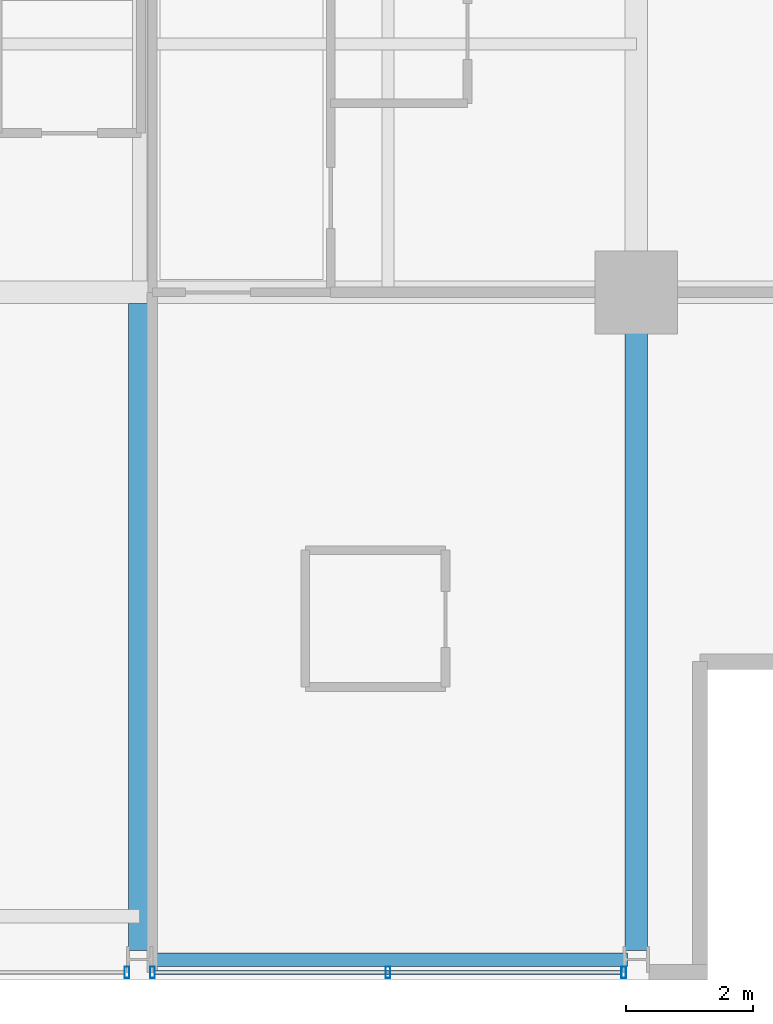
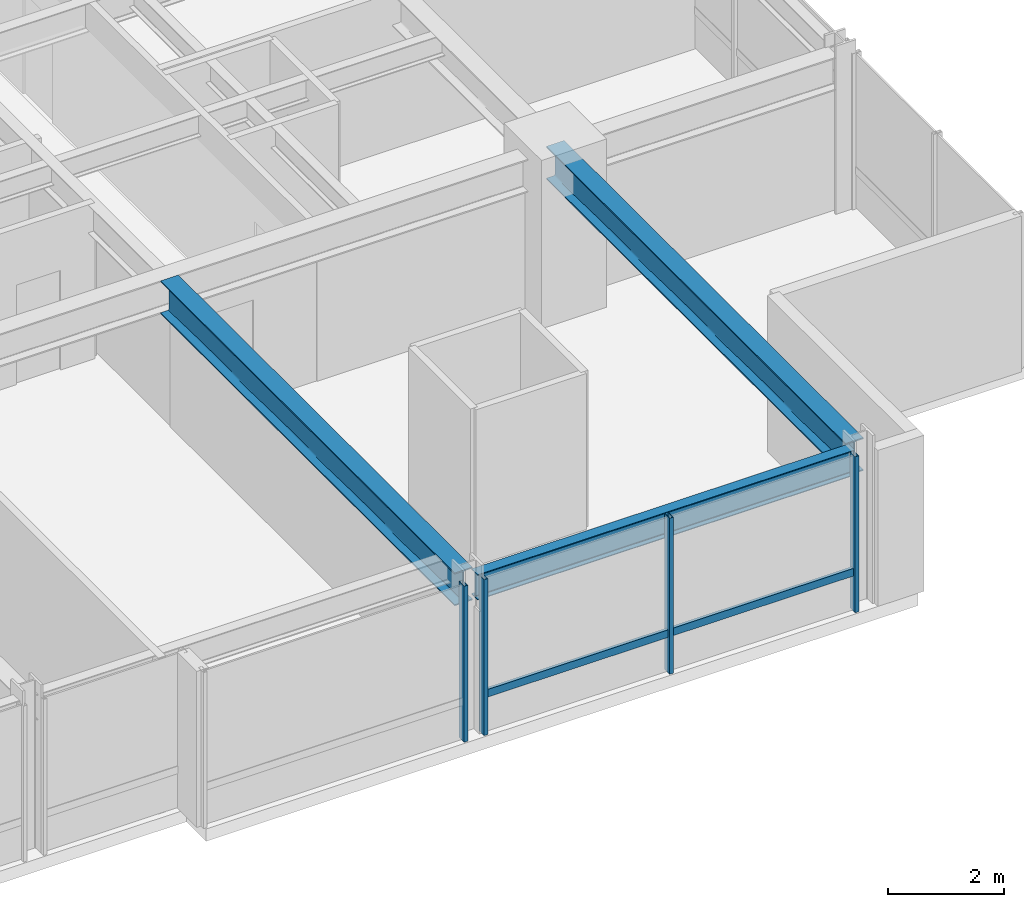
# One storey, part 11 of 33: 5 members, 3 beams, 2 elements without a shape of their own.
"""IFC4 building model written with IfcOpenShell, lengths in metres."""

from ifc_helpers import new_model, si_unit, direction, frame, origin, origin_2d, place, context, subcontext, project, spatial, hollow_rectangle, i_section, extrude, material, layer, layer_set, material_profile, profile_set, type_object, element, aggregate, save


model = new_model("IFC4")

# Units and contexts
model_context = context("Model", 3, precision=1e-05, world=origin(), true_north=direction((0.0, 1.0)))
body_context = subcontext(model_context, "Body", "Model", "MODEL_VIEW")
ifc_project = project(units=[si_unit("LENGTHUNIT", "METRE"), si_unit("AREAUNIT", "SQUARE_METRE"), si_unit("VOLUMEUNIT", "CUBIC_METRE"), si_unit("PLANEANGLEUNIT", "RADIAN"), si_unit("MASSUNIT", "GRAM", prefix="KILO")], contexts=[model_context])

# Site, building, storey
site_placement = place(None, origin())
site = spatial("IfcSite", under=ifc_project, at=site_placement, CompositionType="ELEMENT")
building_placement = place(site_placement, origin())
building = spatial("IfcBuilding", under=site, at=building_placement, Name="Drelvath Grand Hotel", CompositionType="ELEMENT")
storey_placement = place(building_placement, frame((0.0, 0.0, 171.699951171875)))
storey = spatial("IfcBuildingStorey", under=building, at=storey_placement, Name="L44", CompositionType="ELEMENT", Elevation=171.699951171875)

# Curtain wall, member
ifc_material_1 = material(Name="Brushed Pale-Silver Anodised Aluminium Frame", Category="aluminium")
ifc_layer = layer(ifc_material_1, 0.199951171875)
ifc_layer_set = layer_set([ifc_layer], Name="Brushed Pale-Silver Anodised Aluminium Frame")
curtain_wall_type = type_object("IfcCurtainWallType", Name="Stick Curtain Wall CW-04 Brushed Silver Upper-Mid", PredefinedType="NOTDEFINED", material=ifc_layer_set)
curtain_wall_1_placement = place(storey_placement, origin())
curtain_wall_1 = element("IfcCurtainWall", 1, at=curtain_wall_1_placement, inside=storey, type_object=curtain_wall_type, Name="L44 CW-04 Curtain Wall CW04-L44-SE2", PredefinedType="NOTDEFINED")
ifc_material_profile_1 = material_profile(ifc_material_1, hollow_rectangle(XDim=0.06494140625, YDim=0.159912109375, WallThickness=0.00390625, at=origin_2d()), Name="HSS160X65X4")
ifc_profile_set_1 = profile_set([ifc_material_profile_1], Name="Brushed Pale-Silver Anodised Aluminium Frame")
member_type_1 = type_object("IfcMemberType", Name="Curtain Wall Horizontal Transom CW-04 HSS160X65X4", PredefinedType="USERDEFINED", material=ifc_profile_set_1)
member_1_placement = place(storey_placement, frame((15.9599609375, 0.1201171875, 0.822509765625), z_axis=(-1.0, 0.0, 0.0), x_axis=(0.0, -1.0, 0.0)))
member_1 = element("IfcMember", 2, at=member_1_placement, type_object=member_type_1, Name="CW04-L44-SE2 Sill Transom", ObjectType="TRANSOM", PredefinedType="USERDEFINED", context=body_context, shape_type="SweptSolid", body=[
    extrude(hollow_rectangle(XDim=0.06494140625, YDim=0.159912109375, WallThickness=0.00390625, at=origin_2d()), origin(), (0.0, 0.0, 1.0), 7.31982421875),
])

curtain_wall_2_placement = place(storey_placement, origin())
curtain_wall_2 = element("IfcCurtainWall", 3, at=curtain_wall_2_placement, inside=storey, type_object=curtain_wall_type, Name="L44 CW-04 Curtain Wall CW04-L44-SE1", PredefinedType="NOTDEFINED")
ifc_material_profile_2 = material_profile(ifc_material_1, hollow_rectangle(XDim=0.074951171875, YDim=0.179931640625, WallThickness=0.0048828125, at=origin_2d()), Name="HSS180X75X5")
ifc_profile_set_2 = profile_set([ifc_material_profile_2], Name="Brushed Pale-Silver Anodised Aluminium Frame")
member_type_2 = type_object("IfcMemberType", Name="Curtain Wall Vertical Mullion CW-04 HSS180X75X5", PredefinedType="MULLION", material=ifc_profile_set_2)
member_2_placement = place(storey_placement, frame((8.199951171875, 0.1201171875, 0.0), z_axis=(0.0, 0.0, 1.0), x_axis=(1.0, 0.0, 0.0)))
member_2 = element("IfcMember", 4, at=member_2_placement, type_object=member_type_2, Name="CW04-L44-SE1 Mullion 1", PredefinedType="MULLION", context=body_context, shape_type="SweptSolid", body=[
    extrude(hollow_rectangle(XDim=0.074951171875, YDim=0.179931640625, WallThickness=0.0048828125, at=origin_2d()), origin(), (0.0, 0.0, 1.0), 3.2900390625),
])
aggregate(curtain_wall_2, [member_2])

# Member
member_3_placement = place(storey_placement, frame((16.0, 0.1201171875, 0.0), z_axis=(0.0, 0.0, 1.0), x_axis=(1.0, 0.0, 0.0)))
member_3 = element("IfcMember", 5, at=member_3_placement, type_object=member_type_2, Name="CW04-L44-SE2 Mullion 1", PredefinedType="MULLION", context=body_context, shape_type="SweptSolid", body=[
    extrude(hollow_rectangle(XDim=0.074951171875, YDim=0.179931640625, WallThickness=0.0048828125, at=origin_2d()), origin(), (0.0, 0.0, 1.0), 3.2900390625),
])

member_4_placement = place(storey_placement, frame((12.300048828125, 0.1201171875, 0.0), z_axis=(0.0, 0.0, 1.0), x_axis=(1.0, 0.0, 0.0)))
member_4 = element("IfcMember", 6, at=member_4_placement, type_object=member_type_2, Name="CW04-L44-SE2 Mullion 2", PredefinedType="MULLION", context=body_context, shape_type="SweptSolid", body=[
    extrude(hollow_rectangle(XDim=0.074951171875, YDim=0.179931640625, WallThickness=0.0048828125, at=origin_2d()), origin(), (0.0, 0.0, 1.0), 3.2900390625),
])

member_5_placement = place(storey_placement, frame((8.60009765625, 0.1201171875, 0.0), z_axis=(0.0, 0.0, 1.0), x_axis=(1.0, 0.0, 0.0)))
member_5 = element("IfcMember", 7, at=member_5_placement, type_object=member_type_2, Name="CW04-L44-SE2 Mullion 3", PredefinedType="MULLION", context=body_context, shape_type="SweptSolid", body=[
    extrude(hollow_rectangle(XDim=0.074951171875, YDim=0.179931640625, WallThickness=0.0048828125, at=origin_2d()), origin(), (0.0, 0.0, 1.0), 3.2900390625),
])

aggregate(curtain_wall_1, [member_3, member_4, member_5, member_1])

# Beams
ifc_material_2 = material(Name="Steel ASTM A992 Gr 50", Category="steel")
ifc_material_profile_3 = material_profile(ifc_material_2, i_section(OverallWidth=0.210205078125, OverallDepth=0.53662109375, WebThickness=0.010986328125, FlangeThickness=0.017333984375, FilletRadius=0.01806640625, at=origin_2d()), Name="W21X68")
ifc_profile_set_3 = profile_set([ifc_material_profile_3], Name="Steel ASTM A992 Gr 50")
beam_type_1 = type_object("IfcBeamType", Name="Perimeter Spandrel Beam W21X68", PredefinedType="SPANDREL", material=ifc_profile_set_3)
beam_1_placement = place(storey_placement, frame((8.5400390625, 0.320068359375, 3.021728515625), z_axis=(1.0, 0.0, 0.0), x_axis=(0.0, 1.0, 0.0)))
element("IfcBeam", 8, at=beam_1_placement, inside=storey, type_object=beam_type_1, Name="L44 Spandrel South E", PredefinedType="SPANDREL", context=body_context, shape_type="SweptSolid", body=[
    extrude(i_section(OverallWidth=0.210205078125, OverallDepth=0.53662109375, WebThickness=0.010986328125, FlangeThickness=0.017333984375, FilletRadius=0.01806640625, at=origin_2d()), origin(), (0.0, 0.0, 1.0), 7.52001953125),
])
ifc_material_profile_4 = material_profile(ifc_material_2, i_section(OverallWidth=0.354736328125, OverallDepth=0.695556640625, WebThickness=0.015380859375, FlangeThickness=0.025146484375, FilletRadius=0.02392578125, at=origin_2d()), Name="W27X146")
ifc_profile_set_4 = profile_set([ifc_material_profile_4], Name="Steel ASTM A992 Gr 50")
beam_type_2 = type_object("IfcBeamType", Name="Primary Floor Girder W27X146", PredefinedType="BEAM", material=ifc_profile_set_4)
beam_2_placement = place(storey_placement, frame((16.199951171875, 0.4599609375, 2.9423828125), z_axis=(0.0, 1.0, 0.0), x_axis=(-1.0, 0.0, 0.0)))
element("IfcBeam", 9, at=beam_2_placement, inside=storey, type_object=beam_type_2, Name="L44 South Grid Girder 7", PredefinedType="BEAM", context=body_context, shape_type="SweptSolid", body=[
    extrude(i_section(OverallWidth=0.354736328125, OverallDepth=0.695556640625, WebThickness=0.015380859375, FlangeThickness=0.025146484375, FilletRadius=0.02392578125, at=origin_2d()), origin(), (0.0, 0.0, 1.0), 10.340087890625),
])
beam_3_placement = place(storey_placement, frame((8.39990234375, 0.4599609375, 2.9423828125), z_axis=(0.0, 1.0, 0.0), x_axis=(-1.0, 0.0, 0.0)))
element("IfcBeam", 10, at=beam_3_placement, inside=storey, type_object=beam_type_2, Name="L44 South Wing Girder 6", PredefinedType="BEAM", context=body_context, shape_type="SweptSolid", body=[
    extrude(i_section(OverallWidth=0.354736328125, OverallDepth=0.695556640625, WebThickness=0.015380859375, FlangeThickness=0.025146484375, FilletRadius=0.02392578125, at=origin_2d()), origin(), (0.0, 0.0, 1.0), 10.16259765625),
])

save(model, "model.ifc")
